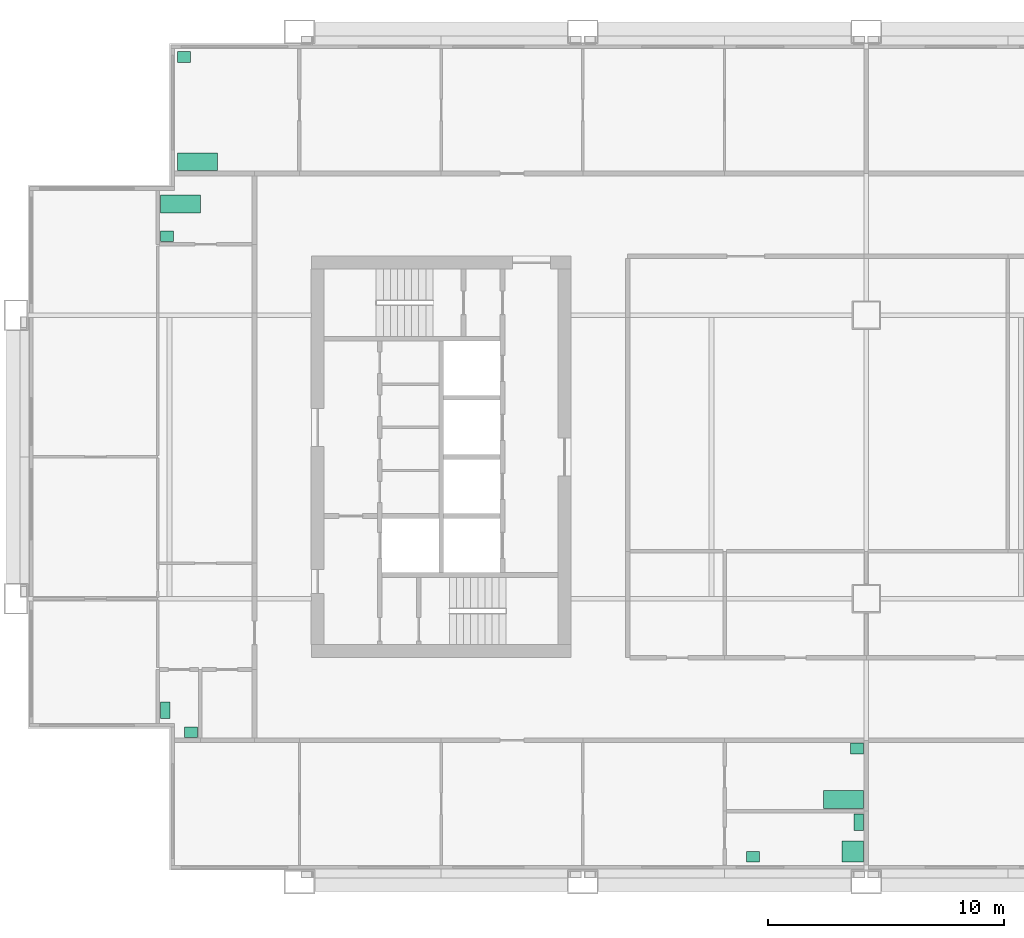
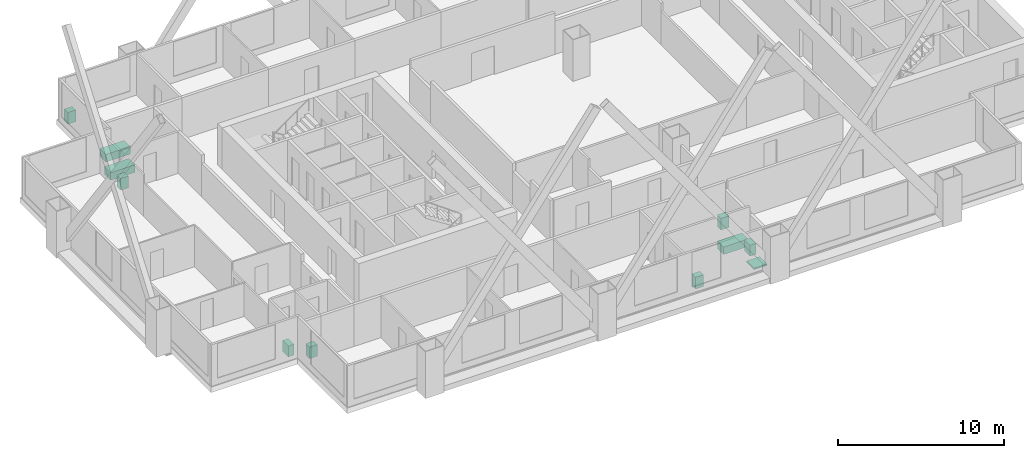
# One storey, part 8 of 8: 11 sanitary terminals.
"""IFC4 building model written with IfcOpenShell, lengths in metres."""

from ifc_helpers import new_model, si_unit, direction, frame, origin, origin_2d, place, context, subcontext, project, spatial, rectangle, extrude, material, type_object, element, save


model = new_model("IFC4")

# Units and contexts
model_context = context("Model", 3, precision=1e-05, world=origin(), true_north=direction((0.0, 1.0)))
body_context = subcontext(model_context, "Body", "Model", "MODEL_VIEW")
ifc_project = project(units=[si_unit("LENGTHUNIT", "METRE"), si_unit("AREAUNIT", "SQUARE_METRE"), si_unit("VOLUMEUNIT", "CUBIC_METRE"), si_unit("PLANEANGLEUNIT", "RADIAN"), si_unit("MASSUNIT", "GRAM", prefix="KILO")], contexts=[model_context])

# Site, building, storey
site_placement = place(None, origin())
site = spatial("IfcSite", under=ifc_project, at=site_placement, CompositionType="ELEMENT")
building_placement = place(site_placement, origin())
building = spatial("IfcBuilding", under=site, at=building_placement, Name="Kitamizu Gate Tower and Museum", CompositionType="ELEMENT")
storey_placement = place(building_placement, frame((0.0, 0.0, 158.25)))
storey = spatial("IfcBuildingStorey", under=building, at=storey_placement, Name="L41", CompositionType="ELEMENT", Elevation=158.25)

# Sanitary terminals
ifc_material_1 = material(Name="Acrylic")
sanitary_terminal_type_1 = type_object("IfcSanitaryTerminalType", Name="Bath", PredefinedType="BATH", material=ifc_material_1)
for number, where, z_axis, x_axis, name in (
    (1, (35.030029296875, 15.4951171875, 0.0009765625), (0.0, 0.0, 1.0), (1.0, 0.0, 0.0), "Bath Bathroom 41A"),
    (2, (7.68994140625, 42.4951171875, 0.0009765625), (0.0, 0.0, 1.0), (1.0, 0.0, 0.0), "Bath Bathroom and WC 41B"),
    (3, (6.969970703125, 40.705078125, 0.0009765625), (0.0, 0.0, 1.0), (1.0, 0.0, 0.0), "Bath Bathroom 41C"),
):
    element("IfcSanitaryTerminal", number, at=place(storey_placement, frame(where, z_axis=z_axis, x_axis=x_axis)), inside=storey, type_object=sanitary_terminal_type_1, Name=name, PredefinedType="BATH", context=body_context, shape_type="SweptSolid", body=[
        extrude(rectangle(XDim=1.699951171875, YDim=0.75, at=origin_2d()), origin(), (0.0, 0.0, 1.0), 0.550048828125),
    ])
ifc_material_2 = material(Name="Acrylic")
sanitary_terminal_type_2 = type_object("IfcSanitaryTerminalType", Name="Shower tray", PredefinedType="SHOWER", material=ifc_material_2)
sanitary_terminal_placement = place(storey_placement, frame((35.429931640625, 13.2900390625, 0.0009765625), z_axis=(0.0, 0.0, 1.0), x_axis=(1.0, 0.0, 0.0)))
element("IfcSanitaryTerminal", 4, at=sanitary_terminal_placement, inside=storey, type_object=sanitary_terminal_type_2, Name="Shower tray En-suite bathroom and WC 41A", PredefinedType="SHOWER", context=body_context, shape_type="SweptSolid", body=[
    extrude(rectangle(XDim=0.89990234375, YDim=0.89990234375, at=origin_2d()), origin(), (0.0, 0.0, 1.0), 0.10009765625),
])
ifc_material_3 = material(Name="Vitreous china")
sanitary_terminal_type_3 = type_object("IfcSanitaryTerminalType", Name="Wash hand basin", PredefinedType="WASHHANDBASIN", material=ifc_material_3)
for number, where, z_axis, x_axis, name in (
    (5, (31.195068359375, 13.06494140625, 0.0009765625), (0.0, 0.0, 1.0), (1.0, 0.0, 0.0), "Wash hand basin En-suite bathroom and WC 41A"),
    (6, (35.60498046875, 17.655029296875, 0.0009765625), (0.0, 0.0, 1.0), (1.0, 0.0, 0.0), "Wash hand basin Bathroom 41A"),
    (7, (7.114990234375, 46.93505859375, 0.0009765625), (0.0, 0.0, 1.0), (1.0, 0.0, 0.0), "Wash hand basin Bathroom and WC 41B"),
    (8, (7.405029296875, 18.344970703125, 0.0009765625), (0.0, 0.0, 1.0), (1.0, 0.0, 0.0), "Wash hand basin WC 41C"),
    (9, (6.39501953125, 39.344970703125, 0.0009765625), (0.0, 0.0, 1.0), (1.0, 0.0, 0.0), "Wash hand basin Bathroom 41C"),
):
    element("IfcSanitaryTerminal", number, at=place(storey_placement, frame(where, z_axis=z_axis, x_axis=x_axis)), inside=storey, type_object=sanitary_terminal_type_3, Name=name, PredefinedType="WASHHANDBASIN", context=body_context, shape_type="SweptSolid", body=[
        extrude(rectangle(XDim=0.550048828125, YDim=0.449951171875, at=origin_2d()), origin(), (0.0, 0.0, 1.0), 0.85009765625),
    ])
ifc_material_4 = material(Name="Vitreous china")
sanitary_terminal_type_4 = type_object("IfcSanitaryTerminalType", Name="Water closet", PredefinedType="TOILETPAN", material=ifc_material_4)
for number, where, z_axis, x_axis, name in (
    (10, (35.679931640625, 14.530029296875, 0.0009765625), (0.0, 0.0, 1.0), (1.0, 0.0, 0.0), "Water closet En-suite bathroom and WC 41A"),
    (11, (6.320068359375, 19.27001953125, 0.0009765625), (0.0, 0.0, 1.0), (1.0, 0.0, 0.0), "Water closet WC 41C"),
):
    element("IfcSanitaryTerminal", number, at=place(storey_placement, frame(where, z_axis=z_axis, x_axis=x_axis)), inside=storey, type_object=sanitary_terminal_type_4, Name=name, PredefinedType="TOILETPAN", context=body_context, shape_type="SweptSolid", body=[
        extrude(rectangle(XDim=0.39990234375, YDim=0.699951171875, at=origin_2d()), origin(), (0.0, 0.0, 1.0), 0.800048828125),
    ])

save(model, "model.ifc")
